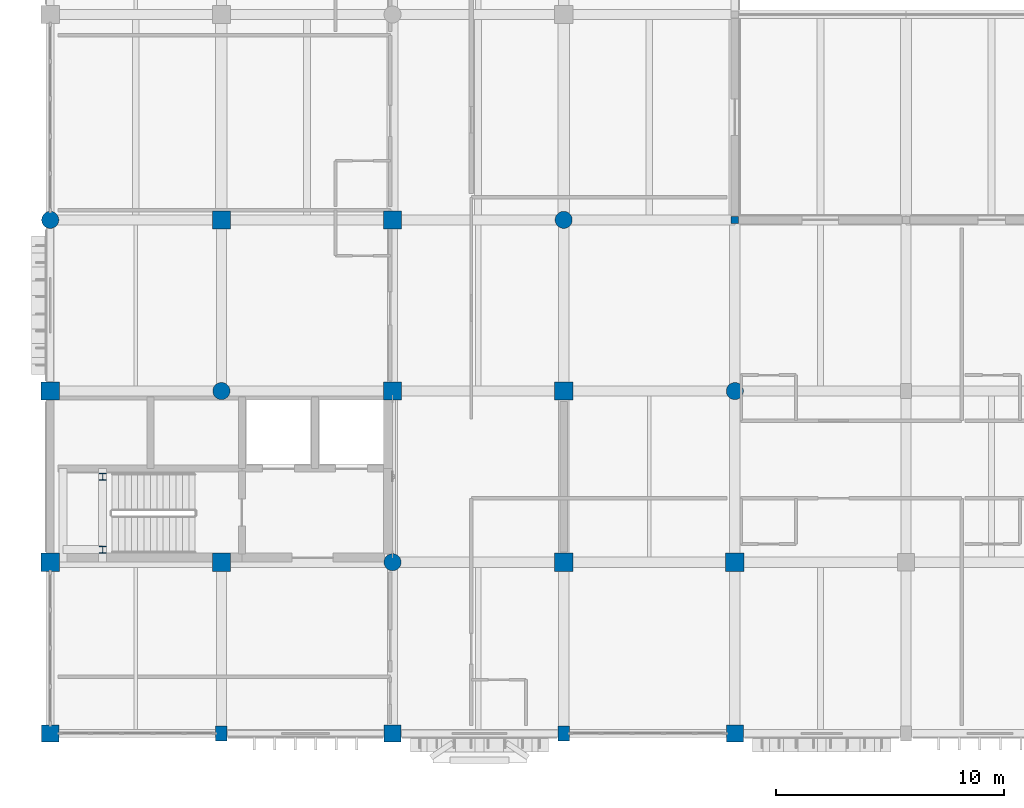
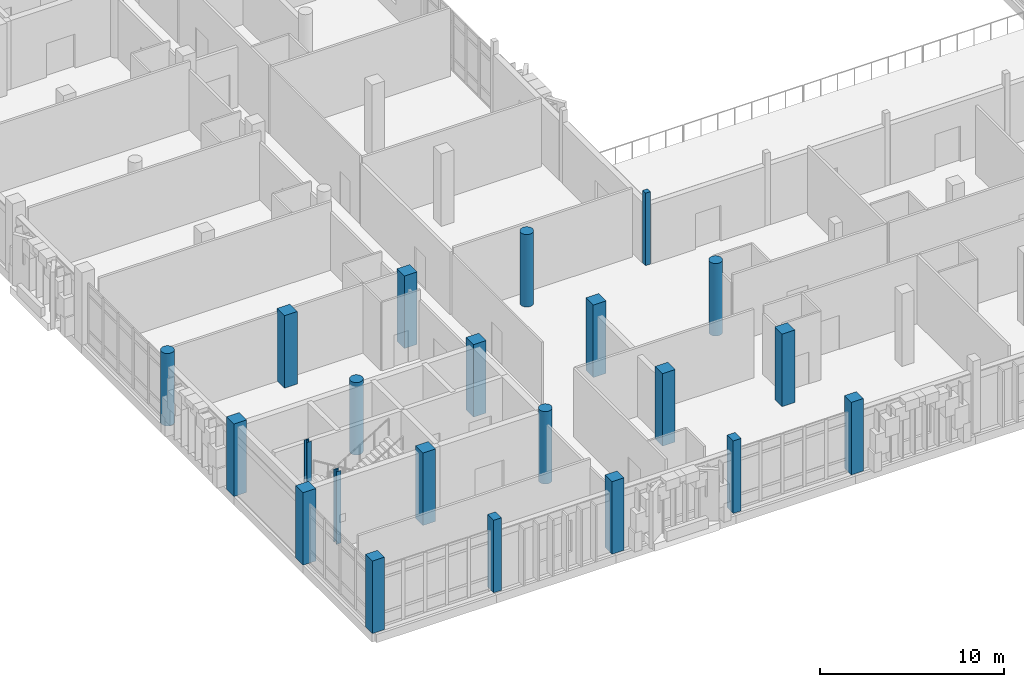
# One storey, part 1 of 131: 22 columns.
"""IFC4 building model written with IfcOpenShell, lengths in metres."""

from ifc_helpers import new_model, si_unit, direction, frame, origin, origin_2d, place, context, subcontext, project, spatial, rectangle, circle, i_section, extrude, material, material_profile, profile_set, type_object, element, save


model = new_model("IFC4")

# Units and contexts
model_context = context("Model", 3, precision=1e-05, world=origin(), true_north=direction((0.0, 1.0)))
body_context = subcontext(model_context, "Body", "Model", "MODEL_VIEW")
ifc_project = project(units=[si_unit("LENGTHUNIT", "METRE"), si_unit("AREAUNIT", "SQUARE_METRE"), si_unit("VOLUMEUNIT", "CUBIC_METRE"), si_unit("PLANEANGLEUNIT", "RADIAN"), si_unit("MASSUNIT", "GRAM", prefix="KILO")], contexts=[model_context])

# Site, building, storey
site_placement = place(None, origin())
site = spatial("IfcSite", under=ifc_project, at=site_placement, CompositionType="ELEMENT")
building_placement = place(site_placement, origin())
building = spatial("IfcBuilding", under=site, at=building_placement, Name="Dalvernix Boulevard General Hospital", CompositionType="ELEMENT")
storey_placement = place(building_placement, frame((0.0, 0.0, 9.300048828125)))
storey = spatial("IfcBuildingStorey", under=building, at=storey_placement, Name="L02", CompositionType="ELEMENT", Elevation=9.300048828125)

# Columns
ifc_material_1 = material(Name="Concrete C40/50", Category="concrete")
ifc_material_profile_1 = material_profile(ifc_material_1, rectangle(XDim=0.800048828125, YDim=0.800048828125, at=origin_2d()), Name="RC 800x800")
ifc_profile_set_1 = profile_set([ifc_material_profile_1], Name="Concrete C40/50")
column_type_1 = type_object("IfcColumnType", Name="COL-C-03-E", PredefinedType="COLUMN", material=ifc_profile_set_1)
for number, where, z_axis, x_axis, name in (
    (1, (0.0, 7.5, 0.0), (0.0, 0.0, 1.0), (1.0, 0.0, 0.0), "L02 column 1B"),
    (2, (0.0, 15.0, 0.0), (0.0, 0.0, 1.0), (1.0, 0.0, 0.0), "L02 column 1C"),
):
    element("IfcColumn", number, at=place(storey_placement, frame(where, z_axis=z_axis, x_axis=x_axis)), inside=storey, type_object=column_type_1, Name=name, PredefinedType="COLUMN", context=body_context, shape_type="SweptSolid", body=[
        extrude(rectangle(XDim=0.800048828125, YDim=0.800048828125, at=origin_2d()), origin(), (0.0, 0.0, 1.0), 4.800048828125),
    ])
ifc_material_profile_2 = material_profile(ifc_material_1, rectangle(XDim=0.800048828125, YDim=0.800048828125, at=origin_2d()), Name="RC 800x800")
ifc_profile_set_2 = profile_set([ifc_material_profile_2], Name="Concrete C40/50")
column_type_2 = type_object("IfcColumnType", Name="COL-C-03-I", PredefinedType="COLUMN", material=ifc_profile_set_2)
for number, where, z_axis, x_axis, name in (
    (3, (7.5, 7.5, 0.0), (0.0, 0.0, 1.0), (1.0, 0.0, 0.0), "L02 column 2B"),
    (4, (7.5, 22.5, 0.0), (0.0, 0.0, 1.0), (1.0, 0.0, 0.0), "L02 column 2D"),
    (5, (15.0, 15.0, 0.0), (0.0, 0.0, 1.0), (1.0, 0.0, 0.0), "L02 column 3C"),
    (6, (15.0, 22.5, 0.0), (0.0, 0.0, 1.0), (1.0, 0.0, 0.0), "L02 column 3D"),
    (7, (22.5, 7.5, 0.0), (0.0, 0.0, 1.0), (1.0, 0.0, 0.0), "L02 column 4B"),
    (8, (22.5, 15.0, 0.0), (0.0, 0.0, 1.0), (1.0, 0.0, 0.0), "L02 column 4C"),
    (9, (30.0, 7.5, 0.0), (0.0, 0.0, 1.0), (1.0, 0.0, 0.0), "L02 column 5B"),
):
    element("IfcColumn", number, at=place(storey_placement, frame(where, z_axis=z_axis, x_axis=x_axis)), inside=storey, type_object=column_type_2, Name=name, PredefinedType="COLUMN", context=body_context, shape_type="SweptSolid", body=[
        extrude(rectangle(XDim=0.800048828125, YDim=0.800048828125, at=origin_2d()), origin(), (0.0, 0.0, 1.0), 4.800048828125),
    ])
ifc_material_profile_3 = material_profile(ifc_material_1, rectangle(XDim=0.75, YDim=0.75, at=origin_2d()), Name="RC 750x750")
ifc_profile_set_3 = profile_set([ifc_material_profile_3], Name="Concrete C40/50")
column_type_3 = type_object("IfcColumnType", Name="COL-C-04-E", PredefinedType="COLUMN", material=ifc_profile_set_3)
for number, where, z_axis, x_axis, name in (
    (10, (0.0, 0.0, 0.0), (0.0, 0.0, 1.0), (1.0, 0.0, 0.0), "L02 column 1A"),
    (11, (15.0, 0.0, 0.0), (0.0, 0.0, 1.0), (1.0, 0.0, 0.0), "L02 column 3A"),
    (12, (30.0, 0.0, 0.0), (0.0, 0.0, 1.0), (1.0, 0.0, 0.0), "L02 column 5A"),
):
    element("IfcColumn", number, at=place(storey_placement, frame(where, z_axis=z_axis, x_axis=x_axis)), inside=storey, type_object=column_type_3, Name=name, PredefinedType="COLUMN", context=body_context, shape_type="SweptSolid", body=[
        extrude(rectangle(XDim=0.75, YDim=0.75, at=origin_2d()), origin(), (0.0, 0.0, 1.0), 4.800048828125),
    ])
ifc_material_profile_4 = material_profile(ifc_material_1, rectangle(XDim=0.5, YDim=0.64990234375, at=origin_2d()), Name="RC 500x650")
ifc_profile_set_4 = profile_set([ifc_material_profile_4], Name="Concrete C40/50")
column_type_4 = type_object("IfcColumnType", Name="COL-C-12-E", PredefinedType="COLUMN", material=ifc_profile_set_4)
for number, where, z_axis, x_axis, name in (
    (13, (7.5, 0.0, 0.0), (0.0, 0.0, 1.0), (1.0, 0.0, 0.0), "L02 column 2A"),
    (14, (22.5, 0.0, 0.0), (0.0, 0.0, 1.0), (1.0, 0.0, 0.0), "L02 column 4A"),
):
    element("IfcColumn", number, at=place(storey_placement, frame(where, z_axis=z_axis, x_axis=x_axis)), inside=storey, type_object=column_type_4, Name=name, PredefinedType="COLUMN", context=body_context, shape_type="SweptSolid", body=[
        extrude(rectangle(XDim=0.5, YDim=0.64990234375, at=origin_2d()), origin(), (0.0, 0.0, 1.0), 4.800048828125),
    ])
ifc_material_profile_5 = material_profile(ifc_material_1, circle(Radius=0.375, at=origin_2d()), Name="RC D750")
ifc_profile_set_5 = profile_set([ifc_material_profile_5], Name="Concrete C40/50")
column_type_5 = type_object("IfcColumnType", Name="COL-C-14-E", PredefinedType="COLUMN", material=ifc_profile_set_5)
column_1_placement = place(storey_placement, frame((0.0, 22.5, 0.0), z_axis=(0.0, 0.0, 1.0), x_axis=(1.0, 0.0, 0.0)))
element("IfcColumn", 15, at=column_1_placement, inside=storey, type_object=column_type_5, Name="L02 column 1D", PredefinedType="COLUMN", context=body_context, shape_type="SweptSolid", body=[
    extrude(circle(Radius=0.375, at=origin_2d()), origin(), (0.0, 0.0, 1.0), 4.800048828125),
])
ifc_material_profile_6 = material_profile(ifc_material_1, circle(Radius=0.375, at=origin_2d()), Name="RC D750")
ifc_profile_set_6 = profile_set([ifc_material_profile_6], Name="Concrete C40/50")
column_type_6 = type_object("IfcColumnType", Name="COL-C-14-I", PredefinedType="COLUMN", material=ifc_profile_set_6)
for number, where, z_axis, x_axis, name in (
    (16, (7.5, 15.0, 0.0), (0.0, 0.0, 1.0), (1.0, 0.0, 0.0), "L02 column 2C"),
    (17, (15.0, 7.5, 0.0), (0.0, 0.0, 1.0), (1.0, 0.0, 0.0), "L02 column 3B"),
    (18, (22.5, 22.5, 0.0), (0.0, 0.0, 1.0), (1.0, 0.0, 0.0), "L02 column 4D"),
    (19, (30.0, 15.0, 0.0), (0.0, 0.0, 1.0), (1.0, 0.0, 0.0), "L02 column 5C"),
):
    element("IfcColumn", number, at=place(storey_placement, frame(where, z_axis=z_axis, x_axis=x_axis)), inside=storey, type_object=column_type_6, Name=name, PredefinedType="COLUMN", context=body_context, shape_type="SweptSolid", body=[
        extrude(circle(Radius=0.375, at=origin_2d()), origin(), (0.0, 0.0, 1.0), 4.800048828125),
    ])
ifc_material_2 = material(Name="Steel S355", Category="steel")
ifc_material_profile_7 = material_profile(ifc_material_2, i_section(OverallWidth=0.300048828125, OverallDepth=0.300048828125, WebThickness=0.010986328125, FlangeThickness=0.01904296875, FilletRadius=0.027099609375, at=origin_2d()), Name="HEB 300")
ifc_profile_set_7 = profile_set([ifc_material_profile_7], Name="Steel S355")
column_type_7 = type_object("IfcColumnType", Name="COL-C-18", PredefinedType="COLUMN", material=ifc_profile_set_7)
for number, where, z_axis, x_axis, name in (
    (20, (2.300048828125, 8.050048828125, 0.0), (0.0, 0.0, 1.0), (1.0, 0.0, 0.0), "L02 Core C1 stair landing column 1"),
    (21, (2.300048828125, 11.25, 0.0), (0.0, 0.0, 1.0), (1.0, 0.0, 0.0), "L02 Core C1 stair landing column 2"),
):
    element("IfcColumn", number, at=place(storey_placement, frame(where, z_axis=z_axis, x_axis=x_axis)), inside=storey, type_object=column_type_7, Name=name, PredefinedType="COLUMN", context=body_context, shape_type="SweptSolid", body=[
        extrude(i_section(OverallWidth=0.300048828125, OverallDepth=0.300048828125, WebThickness=0.010986328125, FlangeThickness=0.01904296875, FilletRadius=0.027099609375, at=origin_2d()), origin(), (0.0, 0.0, 1.0), 4.800048828125),
    ])
ifc_material_3 = material(Name="Glulam GL28h", Category="wood")
ifc_material_profile_8 = material_profile(ifc_material_3, rectangle(XDim=0.320068359375, YDim=0.320068359375, at=origin_2d()), Name="GL28h 320x320")
ifc_profile_set_8 = profile_set([ifc_material_profile_8], Name="Glulam GL28h")
column_type_8 = type_object("IfcColumnType", Name="COL-C-20-E", PredefinedType="COLUMN", material=ifc_profile_set_8)
column_2_placement = place(storey_placement, frame((30.0, 22.5, 0.0), z_axis=(0.0, 0.0, 1.0), x_axis=(1.0, 0.0, 0.0)))
element("IfcColumn", 22, at=column_2_placement, inside=storey, type_object=column_type_8, Name="L02 column 5D", PredefinedType="COLUMN", context=body_context, shape_type="SweptSolid", body=[
    extrude(rectangle(XDim=0.320068359375, YDim=0.320068359375, at=origin_2d()), origin(), (0.0, 0.0, 1.0), 4.800048828125),
])

save(model, "model.ifc")
